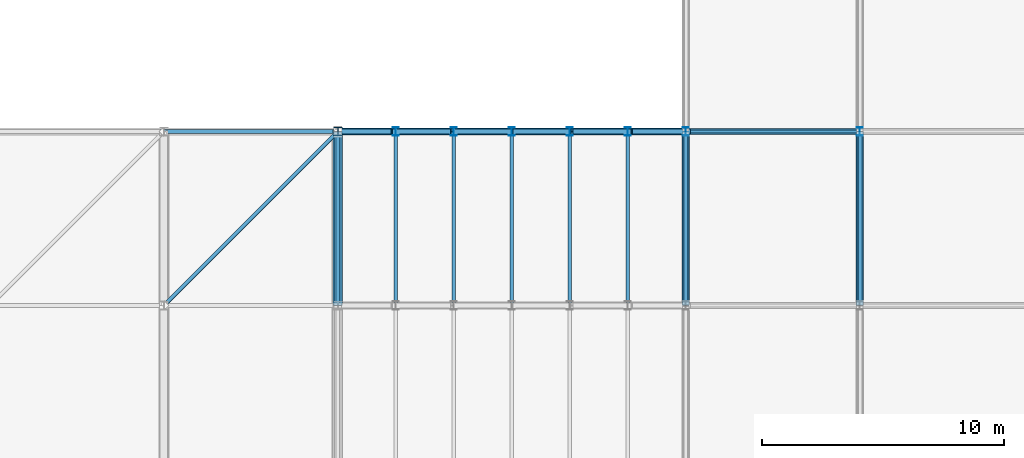
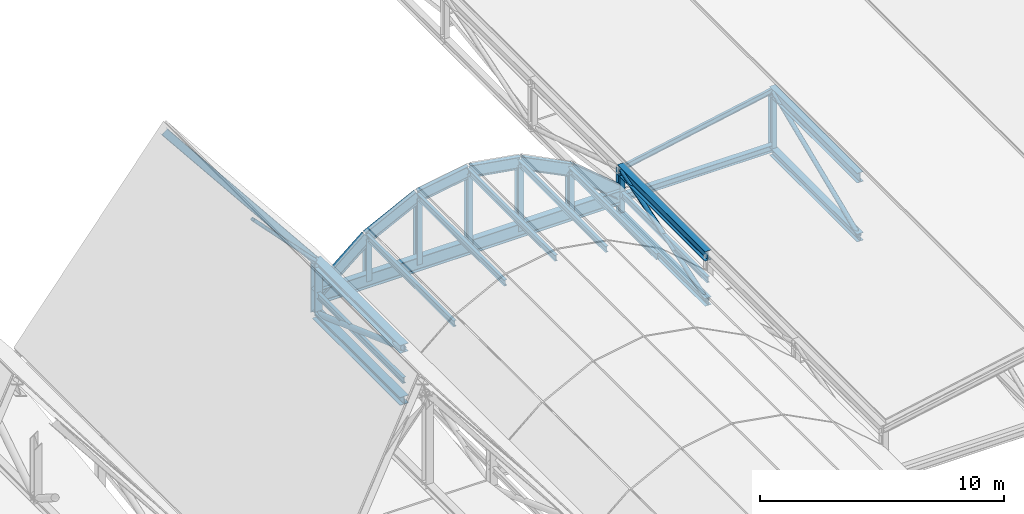
# One storey, part 35 of 60: 33 members, 2 beams.
"""IFC4 building model written with IfcOpenShell, lengths in metres."""

from ifc_helpers import new_model, si_unit, direction, frame, origin, origin_2d, place, context, subcontext, project, spatial, hollow_circle, i_section, extrude, material, material_profile, profile_set, type_object, element, save


model = new_model("IFC4")

# Units and contexts
model_context = context("Model", 3, precision=1e-05, world=origin(), true_north=direction((0.0, 1.0)))
body_context = subcontext(model_context, "Body", "Model", "MODEL_VIEW")
ifc_project = project(units=[si_unit("LENGTHUNIT", "METRE"), si_unit("AREAUNIT", "SQUARE_METRE"), si_unit("VOLUMEUNIT", "CUBIC_METRE"), si_unit("PLANEANGLEUNIT", "RADIAN"), si_unit("MASSUNIT", "GRAM", prefix="KILO")], contexts=[model_context])

# Site, building, storey
site_placement = place(None, origin())
site = spatial("IfcSite", under=ifc_project, at=site_placement, CompositionType="ELEMENT")
building_placement = place(site_placement, origin())
building = spatial("IfcBuilding", under=site, at=building_placement, Name="Vesperath Aquatics Centre", CompositionType="ELEMENT")
storey_placement = place(building_placement, frame((0.0, 0.0, 27.60009765625)))
storey = spatial("IfcBuildingStorey", under=building, at=storey_placement, Name="RF", CompositionType="ELEMENT", Elevation=27.60009765625)

# Beams
ifc_material_1 = material(Name="Steel Q355C", Category="steel")
ifc_material_profile_1 = material_profile(ifc_material_1, i_section(OverallWidth=0.25, OverallDepth=0.340087890625, WebThickness=0.009033203125, FlangeThickness=0.013916015625, FilletRadius=0.02001953125, at=origin_2d()), Name="HM 340x250x9x14")
ifc_profile_set_1 = profile_set([ifc_material_profile_1], Name="Steel Q355C")
beam_type_1 = type_object("IfcBeamType", Name="BM-RB05", PredefinedType="BEAM", material=ifc_profile_set_1)
beam_1_placement = place(storey_placement, frame((115.199951171875, 86.39990234375, -11.644287109375), z_axis=(1.0, 0.0, 0.0), x_axis=(0.0, 1.0, 0.0)))
element("IfcBeam", 1, at=beam_1_placement, inside=storey, type_object=beam_type_1, Name="Training Roof Support Beam B12 17-86.4", PredefinedType="BEAM", context=body_context, shape_type="SweptSolid", body=[
    extrude(i_section(OverallWidth=0.25, OverallDepth=0.340087890625, WebThickness=0.009033203125, FlangeThickness=0.013916015625, FilletRadius=0.02001953125, at=origin_2d()), origin(), (0.0, 0.0, 1.0), 7.199951171875),
])
ifc_material_2 = material(Name="Steel Q355D", Category="steel")
ifc_material_profile_2 = material_profile(ifc_material_2, i_section(OverallWidth=0.300048828125, OverallDepth=0.699951171875, WebThickness=0.012939453125, FlangeThickness=0.02392578125, FilletRadius=0.028076171875, at=origin_2d()), Name="HN 700x300x13x24")
ifc_profile_set_2 = profile_set([ifc_material_profile_2], Name="Steel Q355D")
beam_type_2 = type_object("IfcBeamType", Name="BM-RB10", PredefinedType="BEAM", material=ifc_profile_set_2)
beam_2_placement = place(storey_placement, frame((100.800048828125, 86.39990234375, -11.550048828125), z_axis=(1.0, 0.0, 0.0), x_axis=(0.0, 1.0, 0.0)))
element("IfcBeam", 2, at=beam_2_placement, inside=storey, type_object=beam_type_2, Name="Conservatory Arch Tie Beam B08 N", PredefinedType="BEAM", context=body_context, shape_type="SweptSolid", body=[
    extrude(i_section(OverallWidth=0.300048828125, OverallDepth=0.699951171875, WebThickness=0.012939453125, FlangeThickness=0.02392578125, FilletRadius=0.028076171875, at=origin_2d()), origin(), (0.0, 0.0, 1.0), 14.39990234375),
])

# Members
ifc_material_profile_3 = material_profile(ifc_material_2, i_section(OverallWidth=0.199951171875, OverallDepth=0.60009765625, WebThickness=0.010986328125, FlangeThickness=0.01708984375, FilletRadius=0.02197265625, at=origin_2d()), Name="HN 600x200x11x17")
ifc_profile_set_3 = profile_set([ifc_material_profile_3], Name="Steel Q355D")
member_type_1 = type_object("IfcMemberType", Name="MB-AR01", PredefinedType="RAFTER", material=ifc_profile_set_3)
member_1_placement = place(storey_placement, frame((100.800048828125, 86.39990234375, -11.400146484375), z_axis=(0.768208468069, 0.0, 0.640199773186), x_axis=(0.0, 1.0, 0.0)))
element("IfcMember", 3, at=member_1_placement, inside=storey, type_object=member_type_1, Name="Conservatory Vault Arch Rib AR01 N-1", PredefinedType="RAFTER", context=body_context, shape_type="SweptSolid", body=[
    extrude(i_section(OverallWidth=0.199951171875, OverallDepth=0.60009765625, WebThickness=0.010986328125, FlangeThickness=0.01708984375, FilletRadius=0.02197265625, at=origin_2d()), origin(), (0.0, 0.0, 1.0), 3.1240234375),
])
member_2_placement = place(storey_placement, frame((103.199951171875, 86.39990234375, -9.400146484375), z_axis=(0.894445386687, 0.0, 0.447177202275), x_axis=(0.0, 1.0, 0.0)))
element("IfcMember", 4, at=member_2_placement, inside=storey, type_object=member_type_1, Name="Conservatory Vault Arch Rib AR01 N-2", PredefinedType="RAFTER", context=body_context, shape_type="SweptSolid", body=[
    extrude(i_section(OverallWidth=0.199951171875, OverallDepth=0.60009765625, WebThickness=0.010986328125, FlangeThickness=0.01708984375, FilletRadius=0.02197265625, at=origin_2d()), origin(), (0.0, 0.0, 1.0), 2.683349609375),
])
for number, where, z_axis, x_axis, name in (
    (5, (105.60009765625, 86.39990234375, -8.2001953125), (0.986383073668, 0.0, 0.16446407505), (0.0, 1.0, 0.0), "Conservatory Vault Arch Rib AR01 N-3"),
    (6, (108.0, 86.39990234375, -7.800048828125), (0.986383073668, 0.0, -0.16446407505), (0.0, 1.0, 0.0), "Conservatory Vault Arch Rib AR01 N-4"),
):
    element("IfcMember", number, at=place(storey_placement, frame(where, z_axis=z_axis, x_axis=x_axis)), inside=storey, type_object=member_type_1, Name=name, PredefinedType="RAFTER", context=body_context, shape_type="SweptSolid", body=[
        extrude(i_section(OverallWidth=0.199951171875, OverallDepth=0.60009765625, WebThickness=0.010986328125, FlangeThickness=0.01708984375, FilletRadius=0.02197265625, at=origin_2d()), origin(), (0.0, 0.0, 1.0), 2.43310546875),
    ])
member_3_placement = place(storey_placement, frame((110.39990234375, 86.39990234375, -8.2001953125), z_axis=(0.894445386687, 0.0, -0.447177202275), x_axis=(0.0, 1.0, 0.0)))
element("IfcMember", 7, at=member_3_placement, inside=storey, type_object=member_type_1, Name="Conservatory Vault Arch Rib AR01 N-5", PredefinedType="RAFTER", context=body_context, shape_type="SweptSolid", body=[
    extrude(i_section(OverallWidth=0.199951171875, OverallDepth=0.60009765625, WebThickness=0.010986328125, FlangeThickness=0.01708984375, FilletRadius=0.02197265625, at=origin_2d()), origin(), (0.0, 0.0, 1.0), 2.683349609375),
])
member_4_placement = place(storey_placement, frame((112.800048828125, 86.39990234375, -9.400146484375), z_axis=(0.768208468069, 0.0, -0.640199773186), x_axis=(0.0, 1.0, 0.0)))
element("IfcMember", 8, at=member_4_placement, inside=storey, type_object=member_type_1, Name="Conservatory Vault Arch Rib AR01 N-6", PredefinedType="RAFTER", context=body_context, shape_type="SweptSolid", body=[
    extrude(i_section(OverallWidth=0.199951171875, OverallDepth=0.60009765625, WebThickness=0.010986328125, FlangeThickness=0.01708984375, FilletRadius=0.02197265625, at=origin_2d()), origin(), (0.0, 0.0, 1.0), 3.1240234375),
])
ifc_material_profile_4 = material_profile(ifc_material_2, i_section(OverallWidth=0.39990234375, OverallDepth=0.39990234375, WebThickness=0.012939453125, FlangeThickness=0.02099609375, FilletRadius=0.02197265625, at=origin_2d()), Name="HW 400x400x13x21")
ifc_profile_set_4 = profile_set([ifc_material_profile_4], Name="Steel Q355D")
member_type_2 = type_object("IfcMemberType", Name="MB-BC01", PredefinedType="CHORD", material=ifc_profile_set_4)
member_5_placement = place(storey_placement, frame((100.800048828125, 79.199951171875, -12.400146484375), z_axis=(0.0, 1.0, 0.0), x_axis=(-1.0, 0.0, 0.0)))
element("IfcMember", 9, at=member_5_placement, inside=storey, type_object=member_type_2, Name="Natatorium ROOF TRUSS Bottom Chord BC01 G15-12", PredefinedType="CHORD", context=body_context, shape_type="SweptSolid", body=[
    extrude(i_section(OverallWidth=0.39990234375, OverallDepth=0.39990234375, WebThickness=0.012939453125, FlangeThickness=0.02099609375, FilletRadius=0.02197265625, at=origin_2d()), origin(), (0.0, 0.0, 1.0), 7.199951171875),
])
ifc_material_profile_5 = material_profile(ifc_material_2, i_section(OverallWidth=0.300048828125, OverallDepth=0.389892578125, WebThickness=0.010009765625, FlangeThickness=0.01611328125, FilletRadius=0.02197265625, at=origin_2d()), Name="HM 390x300x10x16")
ifc_profile_set_5 = profile_set([ifc_material_profile_5], Name="Steel Q355D")
member_type_3 = type_object("IfcMemberType", Name="MB-BC03", PredefinedType="CHORD", material=ifc_profile_set_5)
for number, where, z_axis, x_axis, name in (
    (10, (115.199951171875, 79.199951171875, -12.5), (0.0, 1.0, 0.0), (-1.0, 0.0, 0.0), "Training Hall ROOF TRUSS Bottom Chord BC03 G17-3"),
    (11, (122.39990234375, 79.199951171875, -11.800048828125), (0.0, 1.0, 0.0), (-1.0, 0.0, 0.0), "Training Hall ROOF TRUSS Bottom Chord BC03 G18-3"),
):
    element("IfcMember", number, at=place(storey_placement, frame(where, z_axis=z_axis, x_axis=x_axis)), inside=storey, type_object=member_type_3, Name=name, PredefinedType="CHORD", context=body_context, shape_type="SweptSolid", body=[
        extrude(i_section(OverallWidth=0.300048828125, OverallDepth=0.389892578125, WebThickness=0.010009765625, FlangeThickness=0.01611328125, FilletRadius=0.02197265625, at=origin_2d()), origin(), (0.0, 0.0, 1.0), 7.199951171875),
    ])
ifc_material_profile_6 = material_profile(ifc_material_2, hollow_circle(Radius=0.084228515625, WallThickness=0.008056640625, at=origin_2d()), Name="CHS 168.3x8")
ifc_profile_set_6 = profile_set([ifc_material_profile_6], Name="Steel Q355D")
member_type_4 = type_object("IfcMemberType", Name="MB-BR01", PredefinedType="BRACE", material=ifc_profile_set_6)
member_6_placement = place(storey_placement, frame((93.642333984375, 79.242431640625, -0.85302734375), z_axis=(0.529812942826, 0.529812942826, -0.662266178533), x_axis=(-0.707106781187, 0.707106781187, 0.0)))
element("IfcMember", 12, at=member_6_placement, inside=storey, type_object=member_type_4, Name="Natatorium Roof Brace BR01 B14-79", PredefinedType="BRACE", context=body_context, shape_type="SweptSolid", body=[
    extrude(hollow_circle(Radius=0.084228515625, WallThickness=0.008056640625, at=origin_2d()), origin(), (0.0, 0.0, 1.0), 13.4296875),
])
ifc_material_profile_7 = material_profile(ifc_material_1, i_section(OverallWidth=0.175048828125, OverallDepth=0.35009765625, WebThickness=0.007080078125, FlangeThickness=0.010986328125, FilletRadius=0.012939453125, at=origin_2d()), Name="HN 350x175x7x11")
ifc_profile_set_7 = profile_set([ifc_material_profile_7], Name="Steel Q355C")
member_type_5 = type_object("IfcMemberType", Name="MB-PR01", PredefinedType="PURLIN", material=ifc_profile_set_7)
member_7_placement = place(storey_placement, frame((93.60009765625, 86.39990234375, -0.800048828125), z_axis=(0.624692464322, 0.0, -0.780870876022), x_axis=(0.0, 1.0, 0.0)))
element("IfcMember", 13, at=member_7_placement, inside=storey, type_object=member_type_5, Name="Natatorium Roof Purlin PR01 B14-11", PredefinedType="PURLIN", context=body_context, shape_type="SweptSolid", body=[
    extrude(i_section(OverallWidth=0.175048828125, OverallDepth=0.35009765625, WebThickness=0.007080078125, FlangeThickness=0.010986328125, FilletRadius=0.012939453125, at=origin_2d()), origin(), (0.0, 0.0, 1.0), 11.525634765625),
])
ifc_material_profile_8 = material_profile(ifc_material_1, i_section(OverallWidth=0.14990234375, OverallDepth=0.300048828125, WebThickness=0.006591796875, FlangeThickness=0.009033203125, FilletRadius=0.012939453125, at=origin_2d()), Name="HN 300x150x6.5x9")
ifc_profile_set_8 = profile_set([ifc_material_profile_8], Name="Steel Q355C")
member_type_6 = type_object("IfcMemberType", Name="MB-PR02", PredefinedType="PURLIN", material=ifc_profile_set_8)
for number, where, z_axis, x_axis, name in (
    (14, (100.800048828125, 79.199951171875, -11.400146484375), (0.0, 1.0, 0.0), (-1.0, 0.0, 0.0), "Conservatory Vault Purlin PR02 M-1"),
    (15, (103.199951171875, 79.199951171875, -9.400146484375), (0.0, 1.0, 0.0), (-1.0, 0.0, 0.0), "Conservatory Vault Purlin PR02 M-2"),
    (16, (105.60009765625, 79.199951171875, -8.2001953125), (0.0, 1.0, 0.0), (-1.0, 0.0, 0.0), "Conservatory Vault Purlin PR02 M-3"),
    (17, (108.0, 79.199951171875, -7.800048828125), (0.0, 1.0, 0.0), (-1.0, 0.0, 0.0), "Conservatory Vault Purlin PR02 M-4"),
    (18, (110.39990234375, 79.199951171875, -8.2001953125), (0.0, 1.0, 0.0), (-1.0, 0.0, 0.0), "Conservatory Vault Purlin PR02 M-5"),
    (19, (112.800048828125, 79.199951171875, -9.400146484375), (0.0, 1.0, 0.0), (-1.0, 0.0, 0.0), "Conservatory Vault Purlin PR02 M-6"),
    (20, (115.199951171875, 79.199951171875, -11.400146484375), (0.0, 1.0, 0.0), (-1.0, 0.0, 0.0), "Conservatory Vault Purlin PR02 M-7"),
):
    element("IfcMember", number, at=place(storey_placement, frame(where, z_axis=z_axis, x_axis=x_axis)), inside=storey, type_object=member_type_6, Name=name, PredefinedType="PURLIN", context=body_context, shape_type="SweptSolid", body=[
        extrude(i_section(OverallWidth=0.14990234375, OverallDepth=0.300048828125, WebThickness=0.006591796875, FlangeThickness=0.009033203125, FilletRadius=0.012939453125, at=origin_2d()), origin(), (0.0, 0.0, 1.0), 7.199951171875),
    ])
ifc_material_profile_9 = material_profile(ifc_material_1, i_section(OverallWidth=0.125, OverallDepth=0.25, WebThickness=0.006103515625, FlangeThickness=0.009033203125, FilletRadius=0.010009765625, at=origin_2d()), Name="HN 250x125x6x9")
ifc_profile_set_9 = profile_set([ifc_material_profile_9], Name="Steel Q355C")
member_type_7 = type_object("IfcMemberType", Name="MB-PR03", PredefinedType="PURLIN", material=ifc_profile_set_9)
member_8_placement = place(storey_placement, frame((115.199951171875, 86.39990234375, -10.2001953125), z_axis=(0.98161140514, 0.0, 0.190890149825), x_axis=(0.0, 1.0, 0.0)))
element("IfcMember", 21, at=member_8_placement, inside=storey, type_object=member_type_7, Name="Training Hall Roof Purlin PR03 17-4", PredefinedType="PURLIN", context=body_context, shape_type="SweptSolid", body=[
    extrude(i_section(OverallWidth=0.125, OverallDepth=0.25, WebThickness=0.006103515625, FlangeThickness=0.009033203125, FilletRadius=0.010009765625, at=origin_2d()), origin(), (0.0, 0.0, 1.0), 7.334716796875),
])
ifc_material_profile_10 = material_profile(ifc_material_2, i_section(OverallWidth=0.39990234375, OverallDepth=0.39990234375, WebThickness=0.012939453125, FlangeThickness=0.02099609375, FilletRadius=0.02197265625, at=origin_2d()), Name="HW 400x400x13x21")
ifc_profile_set_10 = profile_set([ifc_material_profile_10], Name="Steel Q355D")
member_type_8 = type_object("IfcMemberType", Name="MB-TC02", PredefinedType="CHORD", material=ifc_profile_set_10)
member_9_placement = place(storey_placement, frame((100.800048828125, 79.199951171875, -9.800048828125), z_axis=(0.0, 1.0, 0.0), x_axis=(-1.0, 0.0, 0.0)))
element("IfcMember", 22, at=member_9_placement, inside=storey, type_object=member_type_8, Name="Natatorium ROOF TRUSS Top Chord TC02 G15-12", PredefinedType="CHORD", context=body_context, shape_type="SweptSolid", body=[
    extrude(i_section(OverallWidth=0.39990234375, OverallDepth=0.39990234375, WebThickness=0.012939453125, FlangeThickness=0.02099609375, FilletRadius=0.02197265625, at=origin_2d()), origin(), (0.0, 0.0, 1.0), 7.199951171875),
])
ifc_material_profile_11 = material_profile(ifc_material_2, i_section(OverallWidth=0.300048828125, OverallDepth=0.488037109375, WebThickness=0.010986328125, FlangeThickness=0.01806640625, FilletRadius=0.02587890625, at=origin_2d()), Name="HM 488x300x11x18")
ifc_profile_set_11 = profile_set([ifc_material_profile_11], Name="Steel Q355D")
member_type_9 = type_object("IfcMemberType", Name="MB-TC04", PredefinedType="CHORD", material=ifc_profile_set_11)
for number, where, z_axis, x_axis, name in (
    (23, (115.199951171875, 79.199951171875, -10.2001953125), (0.0, 1.0, 0.0), (-1.0, 0.0, 0.0), "Training Hall ROOF TRUSS Top Chord TC04 G17-3"),
    (24, (122.39990234375, 79.199951171875, -8.800048828125), (0.0, 1.0, 0.0), (-1.0, 0.0, 0.0), "Training Hall ROOF TRUSS Top Chord TC04 G18-3"),
):
    element("IfcMember", number, at=place(storey_placement, frame(where, z_axis=z_axis, x_axis=x_axis)), inside=storey, type_object=member_type_9, Name=name, PredefinedType="CHORD", context=body_context, shape_type="SweptSolid", body=[
        extrude(i_section(OverallWidth=0.300048828125, OverallDepth=0.488037109375, WebThickness=0.010986328125, FlangeThickness=0.01806640625, FilletRadius=0.02587890625, at=origin_2d()), origin(), (0.0, 0.0, 1.0), 7.199951171875),
    ])
ifc_material_profile_12 = material_profile(ifc_material_2, hollow_circle(Radius=0.136474609375, WallThickness=0.011962890625, at=origin_2d()), Name="CHS 273.0x12")
ifc_profile_set_12 = profile_set([ifc_material_profile_12], Name="Steel Q355D")
member_type_10 = type_object("IfcMemberType", Name="MB-TD02", PredefinedType="BRACE", material=ifc_profile_set_12)
member_10_placement = place(storey_placement, frame((100.800048828125, 79.275146484375, -9.8271484375), z_axis=(0.0, 0.940544360889, -0.339670877761), x_axis=(-1.0, 0.0, 0.0)))
element("IfcMember", 25, at=member_10_placement, inside=storey, type_object=member_type_10, Name="Natatorium ROOF TRUSS Diagonal TD02 G15-12", PredefinedType="BRACE", context=body_context, shape_type="SweptSolid", body=[
    extrude(hollow_circle(Radius=0.136474609375, WallThickness=0.011962890625, at=origin_2d()), origin(), (0.0, 0.0, 1.0), 7.4951171875),
])
ifc_material_profile_13 = material_profile(ifc_material_2, hollow_circle(Radius=0.109619140625, WallThickness=0.010009765625, at=origin_2d()), Name="CHS 219.1x10")
ifc_profile_set_13 = profile_set([ifc_material_profile_13], Name="Steel Q355D")
member_type_11 = type_object("IfcMemberType", Name="MB-TD04", PredefinedType="BRACE", material=ifc_profile_set_13)
member_11_placement = place(storey_placement, frame((115.199951171875, 79.276123046875, -12.475830078125), z_axis=(0.0, 0.952571930303, 0.304313518594), x_axis=(-1.0, 0.0, 0.0)))
element("IfcMember", 26, at=member_11_placement, inside=storey, type_object=member_type_11, Name="Training Hall ROOF TRUSS Diagonal TD04 G17-3", PredefinedType="BRACE", context=body_context, shape_type="SweptSolid", body=[
    extrude(hollow_circle(Radius=0.109619140625, WallThickness=0.010009765625, at=origin_2d()), origin(), (0.0, 0.0, 1.0), 7.3984375),
])
member_12_placement = place(storey_placement, frame((122.39990234375, 79.27392578125, -11.769287109375), z_axis=(0.0, 0.92307503219, 0.384619922711), x_axis=(-1.0, 0.0, 0.0)))
element("IfcMember", 27, at=member_12_placement, inside=storey, type_object=member_type_11, Name="Training Hall ROOF TRUSS Diagonal TD04 G18-3", PredefinedType="BRACE", context=body_context, shape_type="SweptSolid", body=[
    extrude(hollow_circle(Radius=0.109619140625, WallThickness=0.010009765625, at=origin_2d()), origin(), (0.0, 0.0, 1.0), 7.639892578125),
])
ifc_material_profile_14 = material_profile(ifc_material_2, i_section(OverallWidth=0.35009765625, OverallDepth=0.35009765625, WebThickness=0.011962890625, FlangeThickness=0.01904296875, FilletRadius=0.02001953125, at=origin_2d()), Name="HW 350x350x12x19")
ifc_profile_set_14 = profile_set([ifc_material_profile_14], Name="Steel Q355D")
member_type_12 = type_object("IfcMemberType", Name="MB-TP01", PredefinedType="POST", material=ifc_profile_set_14)
member_13_placement = place(storey_placement, frame((100.800048828125, 86.39990234375, -12.400146484375), z_axis=(0.0, 0.0, 1.0), x_axis=(1.0, 0.0, 0.0)))
element("IfcMember", 28, at=member_13_placement, inside=storey, type_object=member_type_12, Name="Natatorium ROOF TRUSS Post TP01 G15-13", PredefinedType="POST", context=body_context, shape_type="SweptSolid", body=[
    extrude(i_section(OverallWidth=0.35009765625, OverallDepth=0.35009765625, WebThickness=0.011962890625, FlangeThickness=0.01904296875, FilletRadius=0.02001953125, at=origin_2d()), origin(), (0.0, 0.0, 1.0), 2.60009765625),
])
ifc_material_profile_15 = material_profile(ifc_material_2, i_section(OverallWidth=0.25, OverallDepth=0.340087890625, WebThickness=0.009033203125, FlangeThickness=0.013916015625, FilletRadius=0.02001953125, at=origin_2d()), Name="HM 340x250x9x14")
ifc_profile_set_15 = profile_set([ifc_material_profile_15], Name="Steel Q355D")
member_type_13 = type_object("IfcMemberType", Name="MB-TP02", PredefinedType="POST", material=ifc_profile_set_15)
member_14_placement = place(storey_placement, frame((115.199951171875, 86.39990234375, -12.5), z_axis=(0.0, 0.0, 1.0), x_axis=(1.0, 0.0, 0.0)))
element("IfcMember", 29, at=member_14_placement, inside=storey, type_object=member_type_13, Name="Training Hall ROOF TRUSS Post TP02 G17-4", PredefinedType="POST", context=body_context, shape_type="SweptSolid", body=[
    extrude(i_section(OverallWidth=0.25, OverallDepth=0.340087890625, WebThickness=0.009033203125, FlangeThickness=0.013916015625, FilletRadius=0.02001953125, at=origin_2d()), origin(), (0.0, 0.0, 1.0), 2.2998046875),
])
member_15_placement = place(storey_placement, frame((122.39990234375, 86.39990234375, -11.800048828125), z_axis=(0.0, 0.0, 1.0), x_axis=(1.0, 0.0, 0.0)))
element("IfcMember", 30, at=member_15_placement, inside=storey, type_object=member_type_13, Name="Training Hall ROOF TRUSS Post TP02 G18-4", PredefinedType="POST", context=body_context, shape_type="SweptSolid", body=[
    extrude(i_section(OverallWidth=0.25, OverallDepth=0.340087890625, WebThickness=0.009033203125, FlangeThickness=0.013916015625, FilletRadius=0.02001953125, at=origin_2d()), origin(), (0.0, 0.0, 1.0), 3.0),
])
member_16_placement = place(storey_placement, frame((103.199951171875, 86.39990234375, -11.550048828125), z_axis=(0.0, 0.0, 1.0), x_axis=(1.0, 0.0, 0.0)))
element("IfcMember", 31, at=member_16_placement, inside=storey, type_object=member_type_13, Name="Conservatory Vault Post TP02 N-1", PredefinedType="POST", context=body_context, shape_type="SweptSolid", body=[
    extrude(i_section(OverallWidth=0.25, OverallDepth=0.340087890625, WebThickness=0.009033203125, FlangeThickness=0.013916015625, FilletRadius=0.02001953125, at=origin_2d()), origin(), (0.0, 0.0, 1.0), 2.14990234375),
])
member_17_placement = place(storey_placement, frame((105.60009765625, 86.39990234375, -11.550048828125), z_axis=(0.0, 0.0, 1.0), x_axis=(1.0, 0.0, 0.0)))
element("IfcMember", 32, at=member_17_placement, inside=storey, type_object=member_type_13, Name="Conservatory Vault Post TP02 N-2", PredefinedType="POST", context=body_context, shape_type="SweptSolid", body=[
    extrude(i_section(OverallWidth=0.25, OverallDepth=0.340087890625, WebThickness=0.009033203125, FlangeThickness=0.013916015625, FilletRadius=0.02001953125, at=origin_2d()), origin(), (0.0, 0.0, 1.0), 3.349853515625),
])
member_18_placement = place(storey_placement, frame((108.0, 86.39990234375, -11.550048828125), z_axis=(0.0, 0.0, 1.0), x_axis=(1.0, 0.0, 0.0)))
element("IfcMember", 33, at=member_18_placement, inside=storey, type_object=member_type_13, Name="Conservatory Vault Post TP02 N-3", PredefinedType="POST", context=body_context, shape_type="SweptSolid", body=[
    extrude(i_section(OverallWidth=0.25, OverallDepth=0.340087890625, WebThickness=0.009033203125, FlangeThickness=0.013916015625, FilletRadius=0.02001953125, at=origin_2d()), origin(), (0.0, 0.0, 1.0), 3.75),
])
member_19_placement = place(storey_placement, frame((110.39990234375, 86.39990234375, -11.550048828125), z_axis=(0.0, 0.0, 1.0), x_axis=(1.0, 0.0, 0.0)))
element("IfcMember", 34, at=member_19_placement, inside=storey, type_object=member_type_13, Name="Conservatory Vault Post TP02 N-4", PredefinedType="POST", context=body_context, shape_type="SweptSolid", body=[
    extrude(i_section(OverallWidth=0.25, OverallDepth=0.340087890625, WebThickness=0.009033203125, FlangeThickness=0.013916015625, FilletRadius=0.02001953125, at=origin_2d()), origin(), (0.0, 0.0, 1.0), 3.349853515625),
])
member_20_placement = place(storey_placement, frame((112.800048828125, 86.39990234375, -11.550048828125), z_axis=(0.0, 0.0, 1.0), x_axis=(1.0, 0.0, 0.0)))
element("IfcMember", 35, at=member_20_placement, inside=storey, type_object=member_type_13, Name="Conservatory Vault Post TP02 N-5", PredefinedType="POST", context=body_context, shape_type="SweptSolid", body=[
    extrude(i_section(OverallWidth=0.25, OverallDepth=0.340087890625, WebThickness=0.009033203125, FlangeThickness=0.013916015625, FilletRadius=0.02001953125, at=origin_2d()), origin(), (0.0, 0.0, 1.0), 2.14990234375),
])

save(model, "model.ifc")
